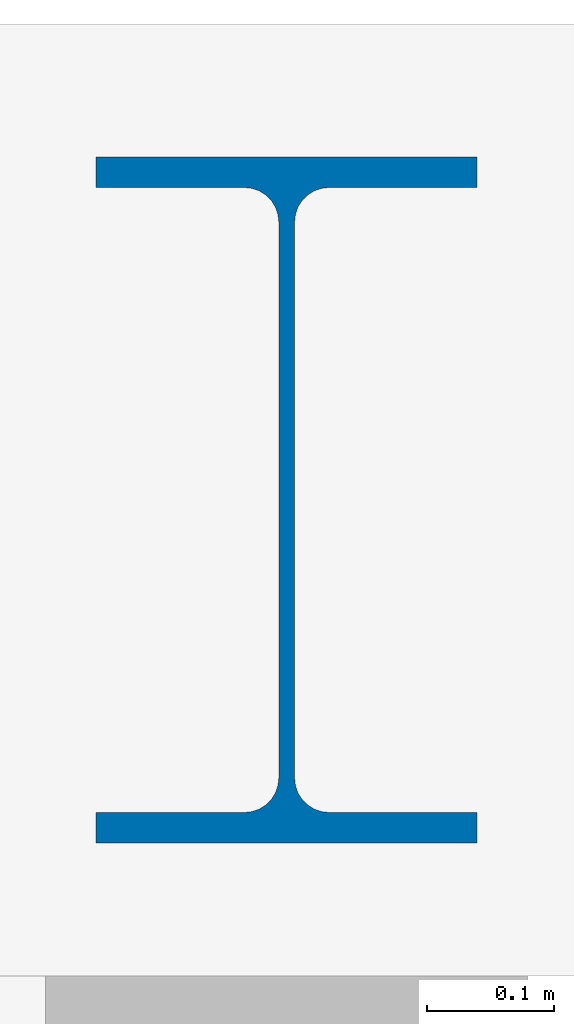
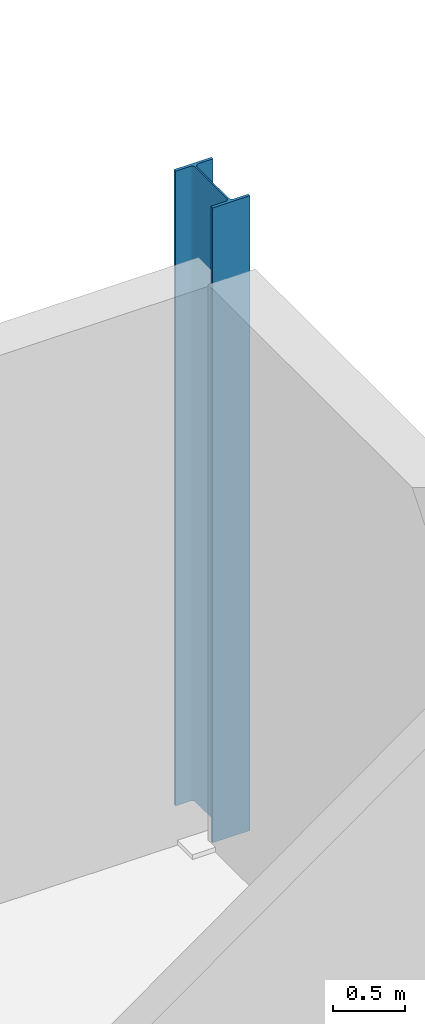
# One storey, part 24 of 196: 1 column.
"""IFC4 building model written with IfcOpenShell, lengths in metres."""

from ifc_helpers import new_model, si_unit, direction, frame, origin, origin_2d, place, context, subcontext, project, spatial, i_section, extrude, material, material_profile, profile_set, type_object, element, save


model = new_model("IFC4")

# Units and contexts
model_context = context("Model", 3, precision=1e-05, world=origin(), true_north=direction((0.0, 1.0)))
body_context = subcontext(model_context, "Body", "Model", "MODEL_VIEW")
ifc_project = project(units=[si_unit("LENGTHUNIT", "METRE"), si_unit("AREAUNIT", "SQUARE_METRE"), si_unit("VOLUMEUNIT", "CUBIC_METRE"), si_unit("PLANEANGLEUNIT", "RADIAN"), si_unit("MASSUNIT", "GRAM", prefix="KILO")], contexts=[model_context])

# Site, building, storey
site_placement = place(None, origin())
site = spatial("IfcSite", under=ifc_project, at=site_placement, CompositionType="ELEMENT")
building_placement = place(site_placement, origin())
building = spatial("IfcBuilding", under=site, at=building_placement, Name="Merenkruunu Market Hall", CompositionType="ELEMENT")
storey_placement = place(building_placement, origin())
storey = spatial("IfcBuildingStorey", under=building, at=storey_placement, Name="L00", CompositionType="ELEMENT", Elevation=0.0)

# Column
ifc_material = material(Name="Steel S355J2", Category="steel")
ifc_material_profile = material_profile(ifc_material, i_section(OverallWidth=0.300048828125, OverallDepth=0.5400390625, WebThickness=0.012451171875, FlangeThickness=0.02392578125, FilletRadius=0.027099609375, at=origin_2d()), Name="HEA 550")
ifc_profile_set = profile_set([ifc_material_profile], Name="Steel S355J2")
column_type = type_object("IfcColumnType", Name="Structural Column C06", PredefinedType="COLUMN", material=ifc_profile_set)
column_placement = place(storey_placement, frame((192.0, 63.60009765625, 0.0), z_axis=(0.0, 0.0, 1.0), x_axis=(1.0, 0.0, 0.0)))
element("IfcColumn", 1, at=column_placement, inside=storey, type_object=column_type, Name="COL-L00-U-08", PredefinedType="COLUMN", context=body_context, shape_type="SweptSolid", body=[
    extrude(i_section(OverallWidth=0.300048828125, OverallDepth=0.5400390625, WebThickness=0.012451171875, FlangeThickness=0.02392578125, FilletRadius=0.027099609375, at=origin_2d()), origin(), (0.0, 0.0, 1.0), 5.39990234375),
])

save(model, "model.ifc")
